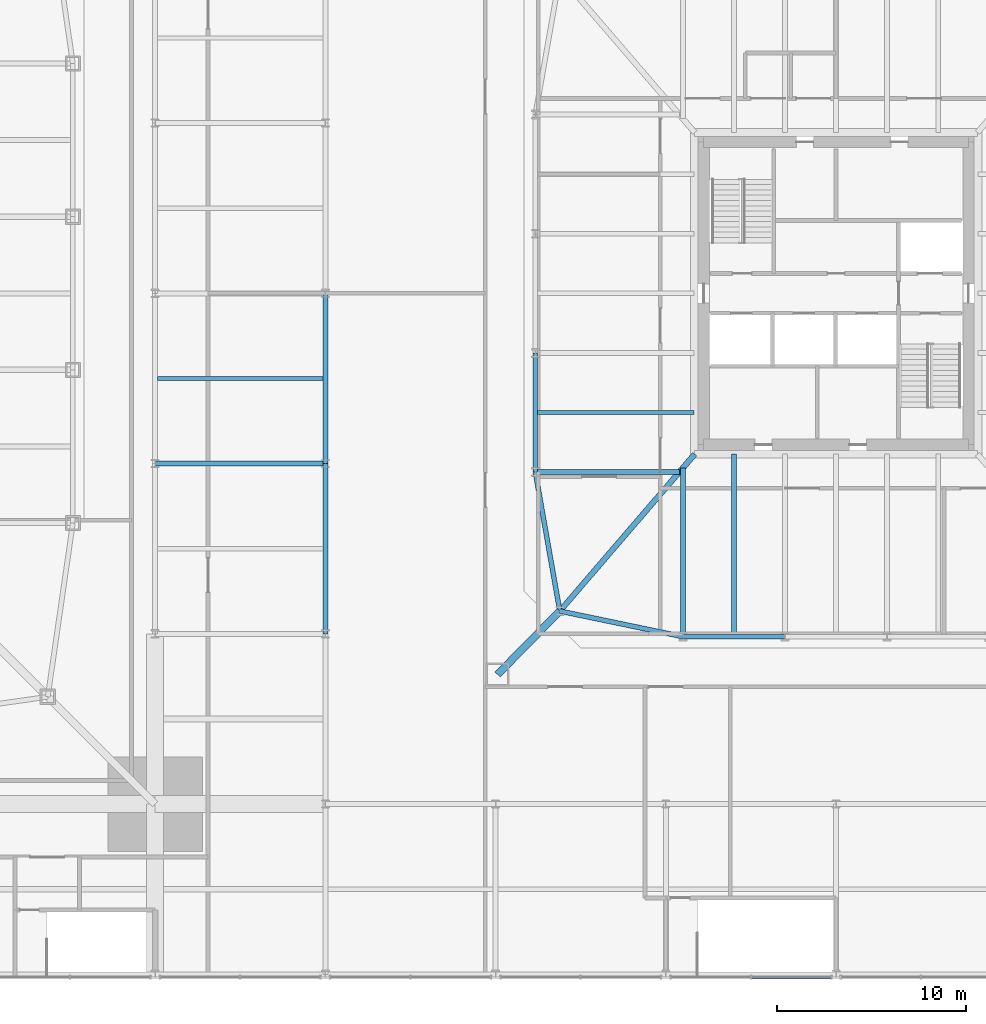
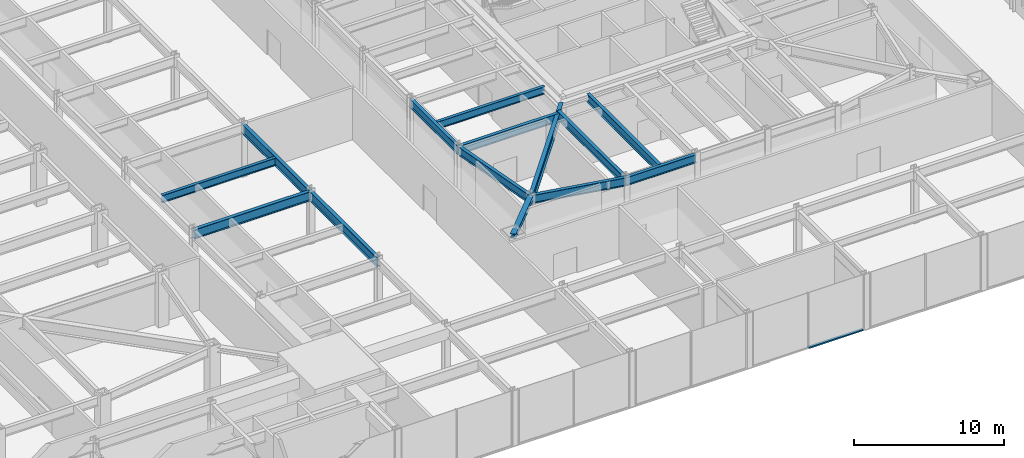
# One storey, part 11 of 30: 13 beams, 2 members, 1 element without a shape of its own.
"""IFC4 building model written with IfcOpenShell, lengths in metres."""

from ifc_helpers import new_model, si_unit, direction, frame, origin, origin_2d, place, context, subcontext, project, spatial, rectangle, i_section, extrude, material, material_profile, profile_set, type_object, element, aggregate, save


model = new_model("IFC4")

# Units and contexts
model_context = context("Model", 3, precision=1e-05, world=origin(), true_north=direction((0.0, 1.0)))
body_context = subcontext(model_context, "Body", "Model", "MODEL_VIEW")
ifc_project = project(units=[si_unit("LENGTHUNIT", "METRE"), si_unit("AREAUNIT", "SQUARE_METRE"), si_unit("VOLUMEUNIT", "CUBIC_METRE"), si_unit("PLANEANGLEUNIT", "RADIAN"), si_unit("MASSUNIT", "GRAM", prefix="KILO")], contexts=[model_context])

# Site, building, storey
site_placement = place(None, origin())
site = spatial("IfcSite", under=ifc_project, at=site_placement, CompositionType="ELEMENT")
building_placement = place(site_placement, origin())
building = spatial("IfcBuilding", under=site, at=building_placement, Name="Iwan Alto Co-Living Towers", CompositionType="ELEMENT")
storey_placement = place(building_placement, frame((0.0, 0.0, 10.5)))
storey = spatial("IfcBuildingStorey", under=building, at=storey_placement, Name="L02", CompositionType="ELEMENT", Elevation=10.5)

# Curtain wall, member
ifc_material_1 = material(Name="Bronze aluminium stick frame", Category="aluminium")
curtain_wall_type = type_object("IfcCurtainWallType", Name="CURTAIN WALL CW-E", PredefinedType="NOTDEFINED", material=ifc_material_1)
curtain_wall_placement = place(storey_placement, origin())
curtain_wall = element("IfcCurtainWall", 1, at=curtain_wall_placement, inside=storey, type_object=curtain_wall_type, Name="Podium curtain wall S L02", PredefinedType="NOTDEFINED")
ifc_material_2 = material(Name="Aluminium 6063-T6 bronze anodised", Category="aluminium")
ifc_material_profile_1 = material_profile(ifc_material_2, rectangle(XDim=0.199951171875, YDim=0.10009765625, at=origin_2d()), Name="AL 200X100")
ifc_profile_set_1 = profile_set([ifc_material_profile_1], Name="Aluminium 6063-T6 bronze anodised")
member_type_1 = type_object("IfcMemberType", Name="CW-E TRANSOM 200X100", PredefinedType="USERDEFINED", material=ifc_profile_set_1)
member_1_placement = place(storey_placement, frame((58.5400390625, -36.14990234375, 0.050048828125), z_axis=(1.0, 0.0, 0.0), x_axis=(0.0, 1.0, 0.0)))
member_1 = element("IfcMember", 2, at=member_1_placement, type_object=member_type_1, Name="CW-E transom 2.1", ObjectType="TRANSOM", PredefinedType="USERDEFINED", context=body_context, shape_type="SweptSolid", body=[
    extrude(rectangle(XDim=0.199951171875, YDim=0.10009765625, at=origin_2d()), origin(), (0.0, 0.0, 1.0), 4.17431640625),
])
aggregate(curtain_wall, [member_1])

# Beams
ifc_material_3 = material(Name="Steel ASTM A992 Gr 50", Category="steel")
ifc_material_profile_2 = material_profile(ifc_material_3, i_section(OverallWidth=0.2666015625, OverallDepth=0.76953125, WebThickness=0.015625, FlangeThickness=0.025390625, at=origin_2d()), Name="W30X132")
ifc_profile_set_2 = profile_set([ifc_material_profile_2], Name="Steel ASTM A992 Gr 50")
beam_type_1 = type_object("IfcBeamType", Name="PODIUM BEAM W30X132", PredefinedType="BEAM", material=ifc_profile_set_2)
for number, where, z_axis, x_axis, name in (
    (3, (27.0, -9.0, 3.865234375), (1.0, 0.0, 0.0), (0.0, 1.0, 0.0), "Podium beam 8/D-9/D L03"),
    (4, (36.0, -18.0, 3.865234375), (0.0, 1.0, 0.0), (-1.0, 0.0, 0.0), "Podium beam 9/C-9/D L03"),
    (5, (36.0, -9.0, 3.865234375), (0.0, 1.0, 0.0), (-1.0, 0.0, 0.0), "Podium beam 9/D-9/E L03"),
):
    element("IfcBeam", number, at=place(storey_placement, frame(where, z_axis=z_axis, x_axis=x_axis)), inside=storey, type_object=beam_type_1, Name=name, PredefinedType="BEAM", context=body_context, shape_type="SweptSolid", body=[
        extrude(i_section(OverallWidth=0.2666015625, OverallDepth=0.76953125, WebThickness=0.015625, FlangeThickness=0.025390625, at=origin_2d()), origin(), (0.0, 0.0, 1.0), 9.0),
    ])
ifc_material_4 = material(Name="Steel ASTM A992 Gr 50", Category="steel")
ifc_material_profile_3 = material_profile(ifc_material_4, i_section(OverallWidth=0.23046875, OverallDepth=0.6171875, WebThickness=0.01318359375, FlangeThickness=0.022216796875, at=origin_2d()), Name="W24X94")
ifc_profile_set_3 = profile_set([ifc_material_profile_3], Name="Steel ASTM A992 Gr 50")
beam_type_2 = type_object("IfcBeamType", Name="PODIUM SECONDARY BEAM W24X94", PredefinedType="JOIST", material=ifc_profile_set_3)
beam_1_placement = place(storey_placement, frame((27.13330078125, -4.5, 3.94140625), z_axis=(1.0, 0.0, 0.0), x_axis=(0.0, 1.0, 0.0)))
element("IfcBeam", 6, at=beam_1_placement, inside=storey, type_object=beam_type_2, Name="Podium secondary beam 8/D L03", PredefinedType="JOIST", context=body_context, shape_type="SweptSolid", body=[
    extrude(i_section(OverallWidth=0.23046875, OverallDepth=0.6171875, WebThickness=0.01318359375, FlangeThickness=0.022216796875, at=origin_2d()), origin(), (0.0, 0.0, 1.0), 8.7333984375),
])
ifc_material_5 = material(Name="Steel ASTM A992 Gr 50", Category="steel")
ifc_material_profile_4 = material_profile(ifc_material_5, i_section(OverallWidth=0.2919921875, OverallDepth=0.8408203125, WebThickness=0.0146484375, FlangeThickness=0.021728515625, at=origin_2d()), Name="W33X130")
ifc_profile_set_4 = profile_set([ifc_material_profile_4], Name="Steel ASTM A992 Gr 50")
beam_type_3 = type_object("IfcBeamType", Name="T2 CORNER GIRDER W33X130", PredefinedType="BEAM", material=ifc_profile_set_4)
beam_2_placement = place(storey_placement, frame((48.393798828125, -16.797119140625, 3.849609375), z_axis=(0.651972301827, 0.758242782788, 0.0), x_axis=(-0.758242782788, 0.651972301827, 0.0)))
element("IfcBeam", 7, at=beam_2_placement, inside=storey, type_object=beam_type_3, Name="T2 corner girder CSW L03", PredefinedType="BEAM", context=body_context, shape_type="SweptSolid", body=[
    extrude(i_section(OverallWidth=0.2919921875, OverallDepth=0.8408203125, WebThickness=0.0146484375, FlangeThickness=0.021728515625, at=origin_2d()), origin(), (0.0, 0.0, 1.0), 10.93994140625),
])
ifc_material_6 = material(Name="Steel ASTM A992 Gr 50", Category="steel")
ifc_material_profile_5 = material_profile(ifc_material_6, i_section(OverallWidth=0.25390625, OverallDepth=0.683349609375, WebThickness=0.012451171875, FlangeThickness=0.018798828125, at=origin_2d()), Name="W27X94")
ifc_profile_set_5 = profile_set([ifc_material_profile_5], Name="Steel ASTM A992 Gr 50")
beam_type_4 = type_object("IfcBeamType", Name="T2 EDGE BEAM W27X94", PredefinedType="BEAM", material=ifc_profile_set_5)
beam_3_placement = place(storey_placement, frame((48.393798828125, -16.797119140625, 3.928466796875), z_axis=(0.979060119423, -0.203571320564, 0.0), x_axis=(0.203571320564, 0.979060119423, 0.0)))
element("IfcBeam", 8, at=beam_3_placement, inside=storey, type_object=beam_type_4, Name="T2 edge beam CSW L03", PredefinedType="BEAM", context=body_context, shape_type="SweptSolid", body=[
    extrude(i_section(OverallWidth=0.25390625, OverallDepth=0.683349609375, WebThickness=0.012451171875, FlangeThickness=0.018798828125, at=origin_2d()), origin(), (0.0, 0.0, 1.0), 6.645263671875),
])
beam_4_placement = place(storey_placement, frame((54.89990234375, -18.14990234375, 3.928466796875), z_axis=(1.0, 0.0, 0.0), x_axis=(0.0, 1.0, 0.0)))
element("IfcBeam", 9, at=beam_4_placement, inside=storey, type_object=beam_type_4, Name="T2 edge beam S1 L03", PredefinedType="BEAM", context=body_context, shape_type="SweptSolid", body=[
    extrude(i_section(OverallWidth=0.25390625, OverallDepth=0.683349609375, WebThickness=0.012451171875, FlangeThickness=0.018798828125, at=origin_2d()), origin(), (0.0, 0.0, 1.0), 5.400146484375),
])
beam_5_placement = place(storey_placement, frame((47.10009765625, -3.14990234375, 3.928466796875), z_axis=(0.0, -1.0, 0.0), x_axis=(1.0, 0.0, 0.0)))
element("IfcBeam", 10, at=beam_5_placement, inside=storey, type_object=beam_type_4, Name="T2 edge beam W3 L03", PredefinedType="BEAM", context=body_context, shape_type="SweptSolid", body=[
    extrude(i_section(OverallWidth=0.25390625, OverallDepth=0.683349609375, WebThickness=0.012451171875, FlangeThickness=0.018798828125, at=origin_2d()), origin(), (0.0, 0.0, 1.0), 6.300048828125),
])
beam_6_placement = place(storey_placement, frame((47.10009765625, -9.449951171875, 3.928466796875), z_axis=(0.173413807283, -0.98484905008, 0.0), x_axis=(0.98484905008, 0.173413807283, 0.0)))
element("IfcBeam", 11, at=beam_6_placement, inside=storey, type_object=beam_type_4, Name="T2 edge beam W4 L03", PredefinedType="BEAM", context=body_context, shape_type="SweptSolid", body=[
    extrude(i_section(OverallWidth=0.25390625, OverallDepth=0.683349609375, WebThickness=0.012451171875, FlangeThickness=0.018798828125, at=origin_2d()), origin(), (0.0, 0.0, 1.0), 7.460205078125),
])

# Member
ifc_material_7 = material(Name="Steel ASTM A992 Gr 50", Category="steel")
ifc_material_profile_6 = material_profile(ifc_material_7, i_section(OverallWidth=0.393798828125, OverallDepth=0.3759765625, WebThickness=0.017333984375, FlangeThickness=0.027587890625, at=origin_2d()), Name="W14X145")
ifc_profile_set_6 = profile_set([ifc_material_profile_6], Name="Steel ASTM A992 Gr 50")
member_type_2 = type_object("IfcMemberType", Name="T2 MEGA COLUMN FLOOR TIE W14X145", PredefinedType="STRUT", material=ifc_profile_set_6)
member_2_placement = place(storey_placement, frame((45.10009765625, -20.14990234375, 4.08203125), z_axis=(0.700793469544, 0.71336422187, 0.0), x_axis=(-0.71336422187, 0.700793469544, 0.0)))
element("IfcMember", 12, at=member_2_placement, inside=storey, type_object=member_type_2, Name="T2 mega column floor tie SW L03", PredefinedType="STRUT", context=body_context, shape_type="SweptSolid", body=[
    extrude(i_section(OverallWidth=0.393798828125, OverallDepth=0.3759765625, WebThickness=0.017333984375, FlangeThickness=0.027587890625, at=origin_2d()), origin(), (0.0, 0.0, 1.0), 4.699951171875),
])

# Beams
ifc_material_8 = material(Name="Steel ASTM A992 Gr 50", Category="steel")
ifc_material_profile_7 = material_profile(ifc_material_8, i_section(OverallWidth=0.25390625, OverallDepth=0.683349609375, WebThickness=0.012451171875, FlangeThickness=0.018798828125, at=origin_2d()), Name="W27X94")
ifc_profile_set_7 = profile_set([ifc_material_profile_7], Name="Steel ASTM A992 Gr 50")
beam_type_5 = type_object("IfcBeamType", Name="T2 RADIAL BEAM W27X94", PredefinedType="BEAM", material=ifc_profile_set_7)
beam_7_placement = place(storey_placement, frame((54.89990234375, -18.14990234375, 3.928466796875), z_axis=(0.0, 1.0, 0.0), x_axis=(-1.0, 0.0, 0.0)))
element("IfcBeam", 13, at=beam_7_placement, inside=storey, type_object=beam_type_5, Name="T2 radial beam S1 L03", PredefinedType="BEAM", context=body_context, shape_type="SweptSolid", body=[
    extrude(i_section(OverallWidth=0.25390625, OverallDepth=0.683349609375, WebThickness=0.012451171875, FlangeThickness=0.018798828125, at=origin_2d()), origin(), (0.0, 0.0, 1.0), 8.91943359375),
])
beam_8_placement = place(storey_placement, frame((47.10009765625, -9.449951171875, 3.928466796875), z_axis=(1.0, 0.0, 0.0), x_axis=(0.0, 1.0, 0.0)))
element("IfcBeam", 14, at=beam_8_placement, inside=storey, type_object=beam_type_5, Name="T2 radial beam W4 L03", PredefinedType="BEAM", context=body_context, shape_type="SweptSolid", body=[
    extrude(i_section(OverallWidth=0.25390625, OverallDepth=0.683349609375, WebThickness=0.012451171875, FlangeThickness=0.018798828125, at=origin_2d()), origin(), (0.0, 0.0, 1.0), 7.611083984375),
])
ifc_material_9 = material(Name="Steel ASTM A992 Gr 50", Category="steel")
ifc_material_profile_8 = material_profile(ifc_material_9, i_section(OverallWidth=0.228271484375, OverallDepth=0.607177734375, WebThickness=0.01123046875, FlangeThickness=0.017333984375, at=origin_2d()), Name="W24X76")
ifc_profile_set_8 = profile_set([ifc_material_profile_8], Name="Steel ASTM A992 Gr 50")
beam_type_6 = type_object("IfcBeamType", Name="T2 SECONDARY BEAM W24X76", PredefinedType="JOIST", material=ifc_profile_set_8)
beam_9_placement = place(storey_placement, frame((47.10009765625, -6.300048828125, 3.966552734375), z_axis=(1.0, 0.0, 0.0), x_axis=(0.0, 1.0, 0.0)))
element("IfcBeam", 15, at=beam_9_placement, inside=storey, type_object=beam_type_6, Name="T2 secondary beam W3 L03", PredefinedType="JOIST", context=body_context, shape_type="SweptSolid", body=[
    extrude(i_section(OverallWidth=0.228271484375, OverallDepth=0.607177734375, WebThickness=0.01123046875, FlangeThickness=0.017333984375, at=origin_2d()), origin(), (0.0, 0.0, 1.0), 8.39794921875),
])
ifc_material_10 = material(Name="Steel ASTM A992 Gr 50", Category="steel")
ifc_material_profile_9 = material_profile(ifc_material_10, i_section(OverallWidth=0.25390625, OverallDepth=0.683349609375, WebThickness=0.012451171875, FlangeThickness=0.018798828125, at=origin_2d()), Name="W27X94")
ifc_profile_set_9 = profile_set([ifc_material_profile_9], Name="Steel ASTM A992 Gr 50")
beam_type_7 = type_object("IfcBeamType", Name="T2 SECONDARY BEAM W27X94", PredefinedType="JOIST", material=ifc_profile_set_9)
beam_10_placement = place(storey_placement, frame((57.60009765625, -18.14990234375, 3.928466796875), z_axis=(0.0, 1.0, 0.0), x_axis=(-1.0, 0.0, 0.0)))
element("IfcBeam", 16, at=beam_10_placement, inside=storey, type_object=beam_type_7, Name="T2 secondary beam S1 L03", PredefinedType="JOIST", context=body_context, shape_type="SweptSolid", body=[
    extrude(i_section(OverallWidth=0.25390625, OverallDepth=0.683349609375, WebThickness=0.012451171875, FlangeThickness=0.018798828125, at=origin_2d()), origin(), (0.0, 0.0, 1.0), 9.64794921875),
])

save(model, "model.ifc")
